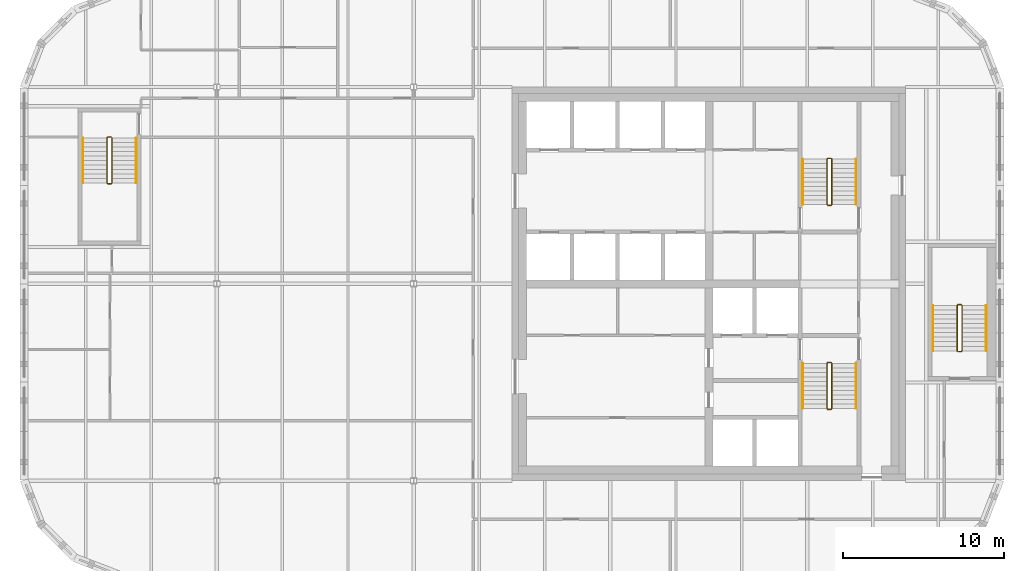
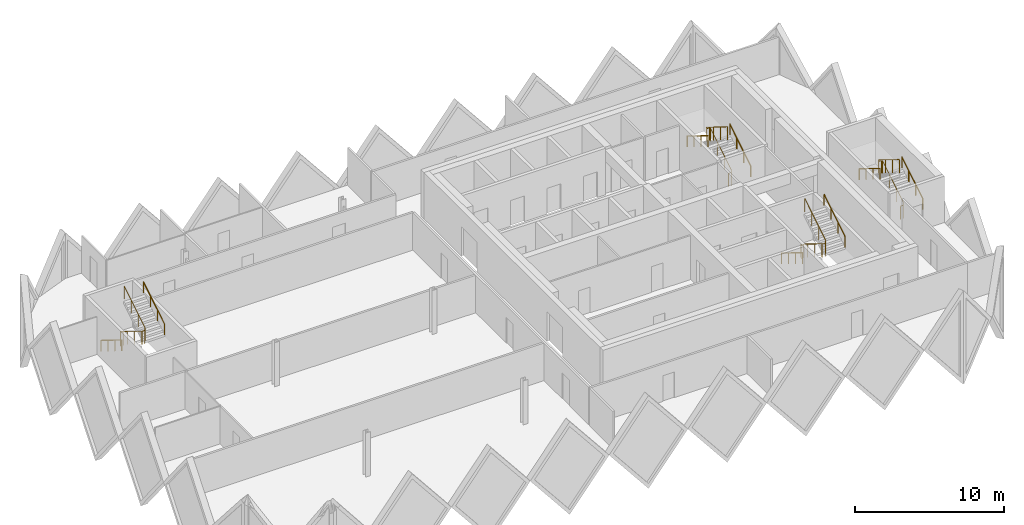
# One storey, part 10 of 10: 12 railings.
"""IFC4 building model written with IfcOpenShell, lengths in metres."""

from ifc_helpers import new_model, si_unit, direction, frame, origin, origin_2d, place, context, subcontext, project, spatial, circle, extrude, material, type_object, element, save


model = new_model("IFC4")

# Units and contexts
model_context = context("Model", 3, precision=1e-05, world=origin(), true_north=direction((0.0, 1.0)))
body_context = subcontext(model_context, "Body", "Model", "MODEL_VIEW")
ifc_project = project(units=[si_unit("LENGTHUNIT", "METRE"), si_unit("AREAUNIT", "SQUARE_METRE"), si_unit("VOLUMEUNIT", "CUBIC_METRE"), si_unit("PLANEANGLEUNIT", "RADIAN"), si_unit("MASSUNIT", "GRAM", prefix="KILO")], contexts=[model_context])

# Site, building, storey
site_placement = place(None, origin())
site = spatial("IfcSite", under=ifc_project, at=site_placement, CompositionType="ELEMENT")
building_placement = place(site_placement, origin())
building = spatial("IfcBuilding", under=site, at=building_placement, Name="Tessera Gate Towers", CompositionType="ELEMENT")
storey_placement = place(building_placement, frame((0.0, 0.0, 252.10009765625)))
storey = spatial("IfcBuildingStorey", under=building, at=storey_placement, Name="L63", CompositionType="ELEMENT", Elevation=252.10009765625)

# Railings
ifc_material_1 = material(Name="Steel 350W", Category="steel")
railing_type_1 = type_object("IfcRailingType", Name="STAIR GUARD 1100", PredefinedType="GUARDRAIL", material=ifc_material_1)
railing_1_placement = place(storey_placement, frame((50.27490234375, 31.72509765625, 0.0)))
element("IfcRailing", 1, at=railing_1_placement, inside=storey, type_object=railing_type_1, Name="L63 ST1 stair guard 1", PredefinedType="GUARDRAIL", context=body_context, shape_type="SweptSolid", body=[
    extrude(circle(Radius=0.02392578125, at=origin_2d()), frame((0.0, 0.0, 1.076171875), z_axis=(-1.0, 0.0, 0.0), x_axis=(0.0, -1.0, 0.0)), (0.0, 0.0, 1.0), 0.199951171875),
    extrude(circle(Radius=0.02392578125, at=origin_2d()), frame((-0.199951171875, 0.0, 1.076171875), z_axis=(-0.268277960024, -0.268277960024, 0.925231793839), x_axis=(0.707106781187, -0.707106781187, 0.0)), (0.0, 0.0, 1.0), 0.1865234375),
    extrude(circle(Radius=0.02392578125, at=origin_2d()), frame((-0.25, -0.050048828125, 1.24853515625), z_axis=(0.0, -0.851089632645, 0.525020415988), x_axis=(1.0, 0.0, 0.0)), (0.0, 0.0, 1.0), 3.2900390625),
    extrude(circle(Radius=0.02392578125, at=origin_2d()), frame((-0.25, -2.85009765625, 2.97607421875), z_axis=(0.707106781187, -0.707106781187, 0.0), x_axis=(0.707106781187, 0.707106781187, 0.0)), (0.0, 0.0, 1.0), 0.07080078125),
    extrude(circle(Radius=0.02392578125, at=origin_2d()), frame((-0.199951171875, -2.900146484375, 2.97607421875), z_axis=(1.0, 0.0, 0.0), x_axis=(0.0, 1.0, 0.0)), (0.0, 0.0, 1.0), 0.199951171875),
    extrude(circle(Radius=0.02392578125, at=origin_2d()), frame((0.0, -2.900146484375, 2.97607421875), z_axis=(0.268277960024, 0.268277960024, 0.925231793839), x_axis=(-0.707106781187, 0.707106781187, 0.0)), (0.0, 0.0, 1.0), 0.1865234375),
    extrude(circle(Radius=0.02392578125, at=origin_2d()), frame((0.050048828125, -2.85009765625, 3.1484375), z_axis=(0.0, 0.851089632645, 0.525020415988), x_axis=(-1.0, 0.0, 0.0)), (0.0, 0.0, 1.0), 3.2900390625),
    extrude(circle(Radius=0.02099609375, at=origin_2d()), origin(), (0.0, 0.0, 1.0), 1.052001953125),
    extrude(circle(Radius=0.02099609375, at=origin_2d()), frame((-0.199951171875, 0.0, 0.0)), (0.0, 0.0, 1.0), 1.052001953125),
    extrude(circle(Radius=0.02099609375, at=origin_2d()), frame((-0.25, -0.050048828125, 0.172607421875)), (0.0, 0.0, 1.0), 1.052001953125),
    extrude(circle(Radius=0.02099609375, at=origin_2d()), frame((-0.25, -0.9833984375, 0.748291015625)), (0.0, 0.0, 1.0), 1.052001953125),
    extrude(circle(Radius=0.02099609375, at=origin_2d()), frame((-0.25, -1.916748046875, 1.32421875)), (0.0, 0.0, 1.0), 1.052001953125),
    extrude(circle(Radius=0.02099609375, at=origin_2d()), frame((-0.25, -2.85009765625, 1.89990234375)), (0.0, 0.0, 1.0), 1.052001953125),
    extrude(circle(Radius=0.02099609375, at=origin_2d()), frame((-0.199951171875, -2.900146484375, 1.89990234375)), (0.0, 0.0, 1.0), 1.052001953125),
    extrude(circle(Radius=0.02099609375, at=origin_2d()), frame((0.0, -2.900146484375, 1.89990234375)), (0.0, 0.0, 1.0), 1.052001953125),
    extrude(circle(Radius=0.02099609375, at=origin_2d()), frame((0.050048828125, -2.85009765625, 2.072509765625)), (0.0, 0.0, 1.0), 1.052001953125),
    extrude(circle(Radius=0.02099609375, at=origin_2d()), frame((0.050048828125, -1.916748046875, 2.648193359375)), (0.0, 0.0, 1.0), 1.052001953125),
    extrude(circle(Radius=0.02099609375, at=origin_2d()), frame((0.050048828125, -0.9833984375, 3.22412109375)), (0.0, 0.0, 1.0), 1.052001953125),
    extrude(circle(Radius=0.02099609375, at=origin_2d()), frame((0.050048828125, -0.050048828125, 3.7998046875)), (0.0, 0.0, 1.0), 1.052001953125),
])
railing_2_placement = place(storey_placement, frame((50.074951171875, 41.47509765625, 0.0)))
element("IfcRailing", 2, at=railing_2_placement, inside=storey, type_object=railing_type_1, Name="L63 ST2 stair guard 1", PredefinedType="GUARDRAIL", context=body_context, shape_type="SweptSolid", body=[
    extrude(circle(Radius=0.02392578125, at=origin_2d()), frame((0.0, 0.0, 1.076171875), z_axis=(1.0, 0.0, 0.0), x_axis=(0.0, 1.0, 0.0)), (0.0, 0.0, 1.0), 0.199951171875),
    extrude(circle(Radius=0.02392578125, at=origin_2d()), frame((0.199951171875, 0.0, 1.076171875), z_axis=(0.268371968888, 0.267062837333, 0.925556009775), x_axis=(-0.705375805398, 0.708833529934, 0.0)), (0.0, 0.0, 1.0), 0.1865234375),
    extrude(circle(Radius=0.02392578125, at=origin_2d()), frame((0.25, 0.0498046875, 1.24853515625), z_axis=(0.0, 0.851089632645, 0.525020415988), x_axis=(-1.0, 0.0, 0.0)), (0.0, 0.0, 1.0), 3.2900390625),
    extrude(circle(Radius=0.02392578125, at=origin_2d()), frame((0.25, 2.849853515625, 2.97607421875), z_axis=(-0.707106781187, 0.707106781187, 0.0), x_axis=(-0.707106781187, -0.707106781187, 0.0)), (0.0, 0.0, 1.0), 0.07080078125),
    extrude(circle(Radius=0.02392578125, at=origin_2d()), frame((0.199951171875, 2.89990234375, 2.97607421875), z_axis=(-1.0, 0.0, 0.0), x_axis=(0.0, -1.0, 0.0)), (0.0, 0.0, 1.0), 0.199951171875),
    extrude(circle(Radius=0.02392578125, at=origin_2d()), frame((0.0, 2.89990234375, 2.97607421875), z_axis=(-0.268277960024, -0.268277960024, 0.925231793839), x_axis=(0.707106781187, -0.707106781187, 0.0)), (0.0, 0.0, 1.0), 0.1865234375),
    extrude(circle(Radius=0.02392578125, at=origin_2d()), frame((-0.050048828125, 2.849853515625, 3.1484375), z_axis=(0.0, -0.851089632645, 0.525020415988), x_axis=(1.0, 0.0, 0.0)), (0.0, 0.0, 1.0), 3.2900390625),
    extrude(circle(Radius=0.02099609375, at=origin_2d()), origin(), (0.0, 0.0, 1.0), 1.052001953125),
    extrude(circle(Radius=0.02099609375, at=origin_2d()), frame((0.199951171875, 0.0, 0.0)), (0.0, 0.0, 1.0), 1.052001953125),
    extrude(circle(Radius=0.02099609375, at=origin_2d()), frame((0.25, 0.0498046875, 0.172607421875)), (0.0, 0.0, 1.0), 1.052001953125),
    extrude(circle(Radius=0.02099609375, at=origin_2d()), frame((0.25, 0.983154296875, 0.748291015625)), (0.0, 0.0, 1.0), 1.052001953125),
    extrude(circle(Radius=0.02099609375, at=origin_2d()), frame((0.25, 1.91650390625, 1.32421875)), (0.0, 0.0, 1.0), 1.052001953125),
    extrude(circle(Radius=0.02099609375, at=origin_2d()), frame((0.25, 2.849853515625, 1.89990234375)), (0.0, 0.0, 1.0), 1.052001953125),
    extrude(circle(Radius=0.02099609375, at=origin_2d()), frame((0.199951171875, 2.89990234375, 1.89990234375)), (0.0, 0.0, 1.0), 1.052001953125),
    extrude(circle(Radius=0.02099609375, at=origin_2d()), frame((0.0, 2.89990234375, 1.89990234375)), (0.0, 0.0, 1.0), 1.052001953125),
    extrude(circle(Radius=0.02099609375, at=origin_2d()), frame((-0.050048828125, 2.849853515625, 2.072509765625)), (0.0, 0.0, 1.0), 1.052001953125),
    extrude(circle(Radius=0.02099609375, at=origin_2d()), frame((-0.050048828125, 1.91650390625, 2.648193359375)), (0.0, 0.0, 1.0), 1.052001953125),
    extrude(circle(Radius=0.02099609375, at=origin_2d()), frame((-0.050048828125, 0.983154296875, 3.22412109375)), (0.0, 0.0, 1.0), 1.052001953125),
    extrude(circle(Radius=0.02099609375, at=origin_2d()), frame((-0.050048828125, 0.0498046875, 3.7998046875)), (0.0, 0.0, 1.0), 1.052001953125),
])
railing_3_placement = place(storey_placement, frame((5.64990234375, 45.699951171875, 0.0)))
element("IfcRailing", 3, at=railing_3_placement, inside=storey, type_object=railing_type_1, Name="L63 ST3 stair guard 1", PredefinedType="GUARDRAIL", context=body_context, shape_type="SweptSolid", body=[
    extrude(circle(Radius=0.02392578125, at=origin_2d()), frame((0.0, 0.0, 1.076171875), z_axis=(-1.0, 0.0, 0.0), x_axis=(0.0, -1.0, 0.0)), (0.0, 0.0, 1.0), 0.199951171875),
    extrude(circle(Radius=0.02392578125, at=origin_2d()), frame((-0.199951171875, 0.0, 1.076171875), z_axis=(-0.268277960024, -0.268277960024, 0.925231793839), x_axis=(0.707106781187, -0.707106781187, 0.0)), (0.0, 0.0, 1.0), 0.1865234375),
    extrude(circle(Radius=0.02392578125, at=origin_2d()), frame((-0.25, -0.050048828125, 1.24853515625), z_axis=(0.0, -0.851069175582, 0.525053576669), x_axis=(1.0, 0.0, 0.0)), (0.0, 0.0, 1.0), 3.289794921875),
    extrude(circle(Radius=0.02392578125, at=origin_2d()), frame((-0.25, -2.849853515625, 2.97607421875), z_axis=(0.707106781187, -0.707106781187, 0.0), x_axis=(0.707106781187, 0.707106781187, 0.0)), (0.0, 0.0, 1.0), 0.07080078125),
    extrude(circle(Radius=0.02392578125, at=origin_2d()), frame((-0.199951171875, -2.89990234375, 2.97607421875), z_axis=(1.0, 0.0, 0.0), x_axis=(0.0, 1.0, 0.0)), (0.0, 0.0, 1.0), 0.199951171875),
    extrude(circle(Radius=0.02392578125, at=origin_2d()), frame((0.0, -2.89990234375, 2.97607421875), z_axis=(0.268277960024, 0.268277960024, 0.925231793839), x_axis=(-0.707106781187, 0.707106781187, 0.0)), (0.0, 0.0, 1.0), 0.1865234375),
    extrude(circle(Radius=0.02392578125, at=origin_2d()), frame((0.050048828125, -2.849853515625, 3.1484375), z_axis=(0.0, 0.851069175582, 0.525053576669), x_axis=(-1.0, 0.0, 0.0)), (0.0, 0.0, 1.0), 3.289794921875),
    extrude(circle(Radius=0.02099609375, at=origin_2d()), origin(), (0.0, 0.0, 1.0), 1.052001953125),
    extrude(circle(Radius=0.02099609375, at=origin_2d()), frame((-0.199951171875, 0.0, 0.0)), (0.0, 0.0, 1.0), 1.052001953125),
    extrude(circle(Radius=0.02099609375, at=origin_2d()), frame((-0.25, -0.050048828125, 0.172607421875)), (0.0, 0.0, 1.0), 1.052001953125),
    extrude(circle(Radius=0.02099609375, at=origin_2d()), frame((-0.25, -0.9833984375, 0.748291015625)), (0.0, 0.0, 1.0), 1.052001953125),
    extrude(circle(Radius=0.02099609375, at=origin_2d()), frame((-0.25, -1.91650390625, 1.32421875)), (0.0, 0.0, 1.0), 1.052001953125),
    extrude(circle(Radius=0.02099609375, at=origin_2d()), frame((-0.25, -2.849853515625, 1.89990234375)), (0.0, 0.0, 1.0), 1.052001953125),
    extrude(circle(Radius=0.02099609375, at=origin_2d()), frame((-0.199951171875, -2.89990234375, 1.89990234375)), (0.0, 0.0, 1.0), 1.052001953125),
    extrude(circle(Radius=0.02099609375, at=origin_2d()), frame((0.0, -2.89990234375, 1.89990234375)), (0.0, 0.0, 1.0), 1.052001953125),
    extrude(circle(Radius=0.02099609375, at=origin_2d()), frame((0.050048828125, -2.849853515625, 2.072509765625)), (0.0, 0.0, 1.0), 1.052001953125),
    extrude(circle(Radius=0.02099609375, at=origin_2d()), frame((0.050048828125, -1.91650390625, 2.648193359375)), (0.0, 0.0, 1.0), 1.052001953125),
    extrude(circle(Radius=0.02099609375, at=origin_2d()), frame((0.050048828125, -0.9833984375, 3.22412109375)), (0.0, 0.0, 1.0), 1.052001953125),
    extrude(circle(Radius=0.02099609375, at=origin_2d()), frame((0.050048828125, -0.050048828125, 3.7998046875)), (0.0, 0.0, 1.0), 1.052001953125),
])
railing_4_placement = place(storey_placement, frame((58.14990234375, 32.39990234375, 0.0)))
element("IfcRailing", 4, at=railing_4_placement, inside=storey, type_object=railing_type_1, Name="L63 ST5 stair guard 1", PredefinedType="GUARDRAIL", context=body_context, shape_type="SweptSolid", body=[
    extrude(circle(Radius=0.02392578125, at=origin_2d()), frame((0.0, 0.0, 1.076171875), z_axis=(1.0, 0.0, 0.0), x_axis=(0.0, 1.0, 0.0)), (0.0, 0.0, 1.0), 0.2001953125),
    extrude(circle(Radius=0.02392578125, at=origin_2d()), frame((0.2001953125, 0.0, 1.076171875), z_axis=(0.267062837333, 0.268371968888, 0.925556009775), x_axis=(-0.708833529934, 0.705375805398, 0.0)), (0.0, 0.0, 1.0), 0.1865234375),
    extrude(circle(Radius=0.02392578125, at=origin_2d()), frame((0.25, 0.050048828125, 1.24853515625), z_axis=(0.0, 0.851089632645, 0.525020415988), x_axis=(-1.0, 0.0, 0.0)), (0.0, 0.0, 1.0), 3.2900390625),
    extrude(circle(Radius=0.02392578125, at=origin_2d()), frame((0.25, 2.85009765625, 2.97607421875), z_axis=(-0.705375805398, 0.708833529934, 0.0), x_axis=(-0.708833529934, -0.705375805398, 0.0)), (0.0, 0.0, 1.0), 0.070556640625),
    extrude(circle(Radius=0.02392578125, at=origin_2d()), frame((0.2001953125, 2.900146484375, 2.97607421875), z_axis=(-1.0, 0.0, 0.0), x_axis=(0.0, -1.0, 0.0)), (0.0, 0.0, 1.0), 0.2001953125),
    extrude(circle(Radius=0.02392578125, at=origin_2d()), frame((0.0, 2.900146484375, 2.97607421875), z_axis=(-0.267062837333, -0.268371968888, 0.925556009775), x_axis=(0.708833529934, -0.705375805398, 0.0)), (0.0, 0.0, 1.0), 0.1865234375),
    extrude(circle(Radius=0.02392578125, at=origin_2d()), frame((-0.0498046875, 2.85009765625, 3.1484375), z_axis=(0.0, -0.851089632645, 0.525020415988), x_axis=(1.0, 0.0, 0.0)), (0.0, 0.0, 1.0), 3.2900390625),
    extrude(circle(Radius=0.02099609375, at=origin_2d()), origin(), (0.0, 0.0, 1.0), 1.052001953125),
    extrude(circle(Radius=0.02099609375, at=origin_2d()), frame((0.2001953125, 0.0, 0.0)), (0.0, 0.0, 1.0), 1.052001953125),
    extrude(circle(Radius=0.02099609375, at=origin_2d()), frame((0.25, 0.050048828125, 0.172607421875)), (0.0, 0.0, 1.0), 1.052001953125),
    extrude(circle(Radius=0.02099609375, at=origin_2d()), frame((0.25, 0.9833984375, 0.748291015625)), (0.0, 0.0, 1.0), 1.052001953125),
    extrude(circle(Radius=0.02099609375, at=origin_2d()), frame((0.25, 1.916748046875, 1.32421875)), (0.0, 0.0, 1.0), 1.052001953125),
    extrude(circle(Radius=0.02099609375, at=origin_2d()), frame((0.25, 2.85009765625, 1.89990234375)), (0.0, 0.0, 1.0), 1.052001953125),
    extrude(circle(Radius=0.02099609375, at=origin_2d()), frame((0.2001953125, 2.900146484375, 1.89990234375)), (0.0, 0.0, 1.0), 1.052001953125),
    extrude(circle(Radius=0.02099609375, at=origin_2d()), frame((0.0, 2.900146484375, 1.89990234375)), (0.0, 0.0, 1.0), 1.052001953125),
    extrude(circle(Radius=0.02099609375, at=origin_2d()), frame((-0.0498046875, 2.85009765625, 2.072509765625)), (0.0, 0.0, 1.0), 1.052001953125),
    extrude(circle(Radius=0.02099609375, at=origin_2d()), frame((-0.0498046875, 1.916748046875, 2.648193359375)), (0.0, 0.0, 1.0), 1.052001953125),
    extrude(circle(Radius=0.02099609375, at=origin_2d()), frame((-0.0498046875, 0.9833984375, 3.22412109375)), (0.0, 0.0, 1.0), 1.052001953125),
    extrude(circle(Radius=0.02099609375, at=origin_2d()), frame((-0.0498046875, 0.050048828125, 3.7998046875)), (0.0, 0.0, 1.0), 1.052001953125),
])
ifc_material_2 = material(Name="Steel 350W", Category="steel")
railing_type_2 = type_object("IfcRailingType", Name="STAIR HANDRAIL 900", PredefinedType="HANDRAIL", material=ifc_material_2)
railing_5_placement = place(storey_placement, frame((48.52490234375, 31.675048828125, 0.172607421875)))
element("IfcRailing", 5, at=railing_5_placement, inside=storey, type_object=railing_type_2, Name="L63 ST1 stair handrail 1", PredefinedType="HANDRAIL", context=body_context, shape_type="SweptSolid", body=[
    extrude(circle(Radius=0.02392578125, at=origin_2d()), frame((0.0, 0.0, 0.8759765625), z_axis=(0.0, -0.851089632645, 0.525020415988), x_axis=(1.0, 0.0, 0.0)), (0.0, 0.0, 1.0), 3.2900390625),
    extrude(circle(Radius=0.02099609375, at=origin_2d()), origin(), (0.0, 0.0, 1.0), 0.851806640625),
    extrude(circle(Radius=0.02099609375, at=origin_2d()), frame((0.0, -0.933349609375, 0.57568359375)), (0.0, 0.0, 1.0), 0.851806640625),
    extrude(circle(Radius=0.02099609375, at=origin_2d()), frame((0.0, -1.86669921875, 1.151611328125)), (0.0, 0.0, 1.0), 0.851806640625),
    extrude(circle(Radius=0.02099609375, at=origin_2d()), frame((0.0, -2.800048828125, 1.727294921875)), (0.0, 0.0, 1.0), 0.851806640625),
])
for number, where, name in (
    (6, (51.824951171875, 28.875, 2.072509765625), "L63 ST1 stair handrail 2"),
    (7, (51.824951171875, 41.52490234375, 0.172607421875), "L63 ST2 stair handrail 1"),
):
    element("IfcRailing", number, at=place(storey_placement, frame(where)), inside=storey, type_object=railing_type_2, Name=name, PredefinedType="HANDRAIL", context=body_context, shape_type="SweptSolid", body=[
        extrude(circle(Radius=0.02392578125, at=origin_2d()), frame((0.0, 0.0, 0.8759765625), z_axis=(0.0, 0.851089632645, 0.525020415988), x_axis=(-1.0, 0.0, 0.0)), (0.0, 0.0, 1.0), 3.2900390625),
        extrude(circle(Radius=0.02099609375, at=origin_2d()), origin(), (0.0, 0.0, 1.0), 0.851806640625),
        extrude(circle(Radius=0.02099609375, at=origin_2d()), frame((0.0, 0.933349609375, 0.57568359375)), (0.0, 0.0, 1.0), 0.851806640625),
        extrude(circle(Radius=0.02099609375, at=origin_2d()), frame((0.0, 1.86669921875, 1.151611328125)), (0.0, 0.0, 1.0), 0.851806640625),
        extrude(circle(Radius=0.02099609375, at=origin_2d()), frame((0.0, 2.800048828125, 1.727294921875)), (0.0, 0.0, 1.0), 0.851806640625),
    ])
railing_6_placement = place(storey_placement, frame((48.52490234375, 44.324951171875, 2.072509765625)))
element("IfcRailing", 8, at=railing_6_placement, inside=storey, type_object=railing_type_2, Name="L63 ST2 stair handrail 2", PredefinedType="HANDRAIL", context=body_context, shape_type="SweptSolid", body=[
    extrude(circle(Radius=0.02392578125, at=origin_2d()), frame((0.0, 0.0, 0.8759765625), z_axis=(0.0, -0.851089632645, 0.525020415988), x_axis=(1.0, 0.0, 0.0)), (0.0, 0.0, 1.0), 3.2900390625),
    extrude(circle(Radius=0.02099609375, at=origin_2d()), origin(), (0.0, 0.0, 1.0), 0.851806640625),
    extrude(circle(Radius=0.02099609375, at=origin_2d()), frame((0.0, -0.933349609375, 0.57568359375)), (0.0, 0.0, 1.0), 0.851806640625),
    extrude(circle(Radius=0.02099609375, at=origin_2d()), frame((0.0, -1.86669921875, 1.151611328125)), (0.0, 0.0, 1.0), 0.851806640625),
    extrude(circle(Radius=0.02099609375, at=origin_2d()), frame((0.0, -2.800048828125, 1.727294921875)), (0.0, 0.0, 1.0), 0.851806640625),
])
railing_7_placement = place(storey_placement, frame((3.89990234375, 45.64990234375, 0.172607421875)))
element("IfcRailing", 9, at=railing_7_placement, inside=storey, type_object=railing_type_2, Name="L63 ST3 stair handrail 1", PredefinedType="HANDRAIL", context=body_context, shape_type="SweptSolid", body=[
    extrude(circle(Radius=0.02392578125, at=origin_2d()), frame((0.0, 0.0, 0.8759765625), z_axis=(0.0, -0.851069175582, 0.525053576669), x_axis=(1.0, 0.0, 0.0)), (0.0, 0.0, 1.0), 3.289794921875),
    extrude(circle(Radius=0.02099609375, at=origin_2d()), origin(), (0.0, 0.0, 1.0), 0.851806640625),
    extrude(circle(Radius=0.02099609375, at=origin_2d()), frame((0.0, -0.933349609375, 0.57568359375)), (0.0, 0.0, 1.0), 0.851806640625),
    extrude(circle(Radius=0.02099609375, at=origin_2d()), frame((0.0, -1.866455078125, 1.151611328125)), (0.0, 0.0, 1.0), 0.851806640625),
    extrude(circle(Radius=0.02099609375, at=origin_2d()), frame((0.0, -2.7998046875, 1.727294921875)), (0.0, 0.0, 1.0), 0.851806640625),
])
railing_8_placement = place(storey_placement, frame((7.199951171875, 42.85009765625, 2.072509765625)))
element("IfcRailing", 10, at=railing_8_placement, inside=storey, type_object=railing_type_2, Name="L63 ST3 stair handrail 2", PredefinedType="HANDRAIL", context=body_context, shape_type="SweptSolid", body=[
    extrude(circle(Radius=0.02392578125, at=origin_2d()), frame((0.0, 0.0, 0.8759765625), z_axis=(0.0, 0.851069175582, 0.525053576669), x_axis=(-1.0, 0.0, 0.0)), (0.0, 0.0, 1.0), 3.289794921875),
    extrude(circle(Radius=0.02099609375, at=origin_2d()), origin(), (0.0, 0.0, 1.0), 0.851806640625),
    extrude(circle(Radius=0.02099609375, at=origin_2d()), frame((0.0, 0.933349609375, 0.57568359375)), (0.0, 0.0, 1.0), 0.851806640625),
    extrude(circle(Radius=0.02099609375, at=origin_2d()), frame((0.0, 1.866455078125, 1.151611328125)), (0.0, 0.0, 1.0), 0.851806640625),
    extrude(circle(Radius=0.02099609375, at=origin_2d()), frame((0.0, 2.7998046875, 1.727294921875)), (0.0, 0.0, 1.0), 0.851806640625),
])
railing_9_placement = place(storey_placement, frame((59.89990234375, 32.449951171875, 0.172607421875)))
element("IfcRailing", 11, at=railing_9_placement, inside=storey, type_object=railing_type_2, Name="L63 ST5 stair handrail 1", PredefinedType="HANDRAIL", context=body_context, shape_type="SweptSolid", body=[
    extrude(circle(Radius=0.02392578125, at=origin_2d()), frame((0.0, 0.0, 0.8759765625), z_axis=(0.0, 0.851089632645, 0.525020415988), x_axis=(-1.0, 0.0, 0.0)), (0.0, 0.0, 1.0), 3.2900390625),
    extrude(circle(Radius=0.02099609375, at=origin_2d()), origin(), (0.0, 0.0, 1.0), 0.851806640625),
    extrude(circle(Radius=0.02099609375, at=origin_2d()), frame((0.0, 0.933349609375, 0.57568359375)), (0.0, 0.0, 1.0), 0.851806640625),
    extrude(circle(Radius=0.02099609375, at=origin_2d()), frame((0.0, 1.86669921875, 1.151611328125)), (0.0, 0.0, 1.0), 0.851806640625),
    extrude(circle(Radius=0.02099609375, at=origin_2d()), frame((0.0, 2.800048828125, 1.727294921875)), (0.0, 0.0, 1.0), 0.851806640625),
])
railing_10_placement = place(storey_placement, frame((56.60009765625, 35.25, 2.072509765625)))
element("IfcRailing", 12, at=railing_10_placement, inside=storey, type_object=railing_type_2, Name="L63 ST5 stair handrail 2", PredefinedType="HANDRAIL", context=body_context, shape_type="SweptSolid", body=[
    extrude(circle(Radius=0.02392578125, at=origin_2d()), frame((0.0, 0.0, 0.8759765625), z_axis=(0.0, -0.851089632645, 0.525020415988), x_axis=(1.0, 0.0, 0.0)), (0.0, 0.0, 1.0), 3.2900390625),
    extrude(circle(Radius=0.02099609375, at=origin_2d()), origin(), (0.0, 0.0, 1.0), 0.851806640625),
    extrude(circle(Radius=0.02099609375, at=origin_2d()), frame((0.0, -0.933349609375, 0.57568359375)), (0.0, 0.0, 1.0), 0.851806640625),
    extrude(circle(Radius=0.02099609375, at=origin_2d()), frame((0.0, -1.86669921875, 1.151611328125)), (0.0, 0.0, 1.0), 0.851806640625),
    extrude(circle(Radius=0.02099609375, at=origin_2d()), frame((0.0, -2.800048828125, 1.727294921875)), (0.0, 0.0, 1.0), 0.851806640625),
])

save(model, "model.ifc")
